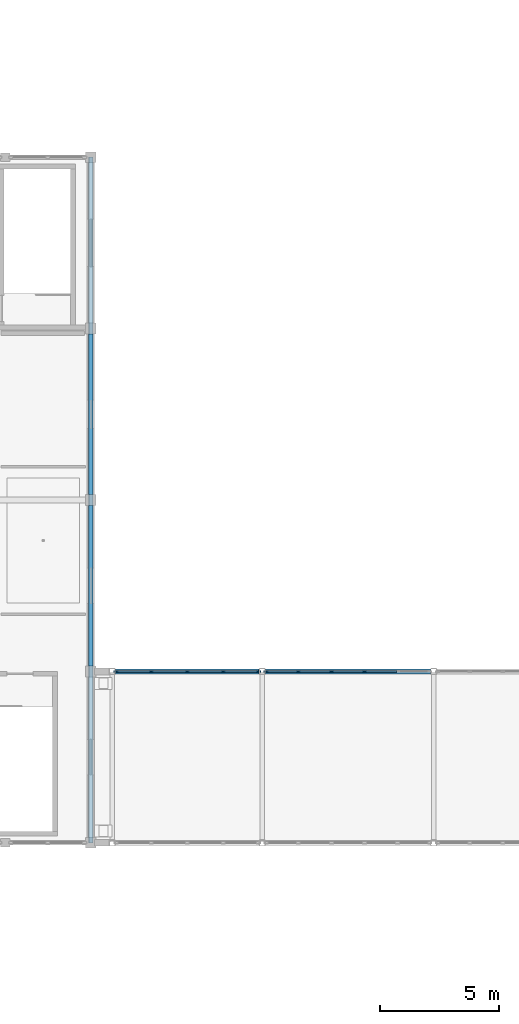
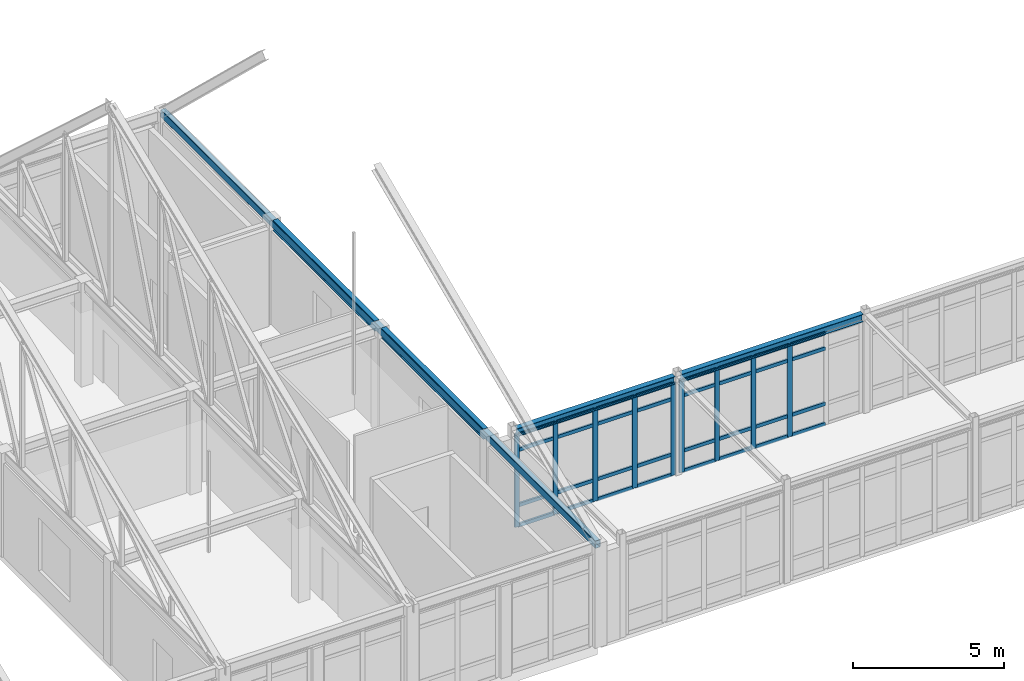
# One storey, part 38 of 136: 42 members, 4 beams, 2 elements without a shape of their own.
"""IFC4 building model written with IfcOpenShell, lengths in metres."""

from ifc_helpers import new_model, si_unit, direction, frame, origin, origin_2d, place, context, subcontext, project, spatial, rectangle, hollow_rectangle, i_section, extrude, material, layer, layer_set, material_profile, profile_set, type_object, element, aggregate, save


model = new_model("IFC4")

# Units and contexts
model_context = context("Model", 3, precision=1e-05, world=origin(), true_north=direction((0.0, 1.0)))
body_context = subcontext(model_context, "Body", "Model", "MODEL_VIEW")
ifc_project = project(units=[si_unit("LENGTHUNIT", "METRE"), si_unit("AREAUNIT", "SQUARE_METRE"), si_unit("VOLUMEUNIT", "CUBIC_METRE"), si_unit("PLANEANGLEUNIT", "RADIAN"), si_unit("MASSUNIT", "GRAM", prefix="KILO")], contexts=[model_context])

# Site, building, storey
site_placement = place(None, origin())
site = spatial("IfcSite", under=ifc_project, at=site_placement, CompositionType="ELEMENT")
building_placement = place(site_placement, origin())
building = spatial("IfcBuilding", under=site, at=building_placement, Name="Koriwan Promenade Central Fire Station", CompositionType="ELEMENT")
storey_placement = place(building_placement, frame((0.0, 0.0, 5.39990234375)))
storey = spatial("IfcBuildingStorey", under=building, at=storey_placement, Name="L01", CompositionType="ELEMENT", Elevation=5.39990234375)

# Curtain wall, members
ifc_material_1 = material(Name="Aluminium EN AW-6063-T6 and low-E glazing", Category="aluminium")
ifc_layer_1 = layer(ifc_material_1, 0.159912109375, Name="Aluminium EN AW-6063-T6 and low-E glazing")
ifc_layer_set_1 = layer_set([ifc_layer_1], Name="Aluminium EN AW-6063-T6 and low-E glazing")
curtain_wall_type_1 = type_object("IfcCurtainWallType", Name="CurtainWall_97_605x374", PredefinedType="USERDEFINED", material=ifc_layer_set_1)
curtain_wall_1_placement = place(storey_placement, origin())
curtain_wall_1 = element("IfcCurtainWall", 1, at=curtain_wall_1_placement, inside=storey, type_object=curtain_wall_type_1, Name="V5 L01 unitised curtain wall 309", ObjectType="UNITISED CURTAIN WALL", PredefinedType="USERDEFINED")
ifc_material_2 = material(Name="Aluminium EN AW-6063-T6", Category="aluminium")
ifc_material_profile_1 = material_profile(ifc_material_2, rectangle(XDim=0.074951171875, YDim=0.179931640625, at=origin_2d()), Name="ALU-MUL-75x180")
ifc_profile_set_1 = profile_set([ifc_material_profile_1], Name="Aluminium EN AW-6063-T6")
member_type_1 = type_object("IfcMemberType", Name="CWMullion_ALU-MUL-75x180", PredefinedType="MULLION", material=ifc_profile_set_1)
member_1_placement = place(storey_placement, frame((116.262451171875, 50.39990234375, 0.0), z_axis=(0.0, 0.0, 1.0), x_axis=(0.0, 1.0, 0.0)))
member_1 = element("IfcMember", 2, at=member_1_placement, type_object=member_type_1, Name="CW-97 mullion 1", PredefinedType="MULLION", context=body_context, shape_type="SweptSolid", body=[
    extrude(rectangle(XDim=0.074951171875, YDim=0.179931640625, at=origin_2d()), origin(), (0.0, 0.0, 1.0), 3.739990234375),
])
member_2_placement = place(storey_placement, frame((117.737548828125, 50.39990234375, 0.0), z_axis=(0.0, 0.0, 1.0), x_axis=(0.0, 1.0, 0.0)))
member_2 = element("IfcMember", 3, at=member_2_placement, type_object=member_type_1, Name="CW-97 mullion 2", PredefinedType="MULLION", context=body_context, shape_type="SweptSolid", body=[
    extrude(rectangle(XDim=0.074951171875, YDim=0.179931640625, at=origin_2d()), origin(), (0.0, 0.0, 1.0), 3.739990234375),
])
member_3_placement = place(storey_placement, frame((119.25, 50.39990234375, 0.0), z_axis=(0.0, 0.0, 1.0), x_axis=(0.0, 1.0, 0.0)))
member_3 = element("IfcMember", 4, at=member_3_placement, type_object=member_type_1, Name="CW-97 mullion 3", PredefinedType="MULLION", context=body_context, shape_type="SweptSolid", body=[
    extrude(rectangle(XDim=0.074951171875, YDim=0.179931640625, at=origin_2d()), origin(), (0.0, 0.0, 1.0), 3.739990234375),
])
member_4_placement = place(storey_placement, frame((120.762451171875, 50.39990234375, 0.0), z_axis=(0.0, 0.0, 1.0), x_axis=(0.0, 1.0, 0.0)))
member_4 = element("IfcMember", 5, at=member_4_placement, type_object=member_type_1, Name="CW-97 mullion 4", PredefinedType="MULLION", context=body_context, shape_type="SweptSolid", body=[
    extrude(rectangle(XDim=0.074951171875, YDim=0.179931640625, at=origin_2d()), origin(), (0.0, 0.0, 1.0), 3.739990234375),
])
member_5_placement = place(storey_placement, frame((122.237548828125, 50.39990234375, 0.0), z_axis=(0.0, 0.0, 1.0), x_axis=(0.0, 1.0, 0.0)))
member_5 = element("IfcMember", 6, at=member_5_placement, type_object=member_type_1, Name="CW-97 mullion 5", PredefinedType="MULLION", context=body_context, shape_type="SweptSolid", body=[
    extrude(rectangle(XDim=0.074951171875, YDim=0.179931640625, at=origin_2d()), origin(), (0.0, 0.0, 1.0), 3.739990234375),
])

ifc_layer_2 = layer(ifc_material_1, 0.159912109375, Name="Aluminium EN AW-6063-T6 and low-E glazing")
ifc_layer_set_2 = layer_set([ifc_layer_2], Name="Aluminium EN AW-6063-T6 and low-E glazing")
curtain_wall_type_2 = type_object("IfcCurtainWallType", Name="CurtainWall_98_695x374", PredefinedType="USERDEFINED", material=ifc_layer_set_2)
curtain_wall_2_placement = place(storey_placement, origin())
curtain_wall_2 = element("IfcCurtainWall", 7, at=curtain_wall_2_placement, inside=storey, type_object=curtain_wall_type_2, Name="V5 L01 unitised curtain wall 311", ObjectType="UNITISED CURTAIN WALL", PredefinedType="USERDEFINED")
member_6_placement = place(storey_placement, frame((122.5625, 50.39990234375, 0.0), z_axis=(0.0, 0.0, 1.0), x_axis=(0.0, 1.0, 0.0)))
member_6 = element("IfcMember", 8, at=member_6_placement, type_object=member_type_1, Name="CW-98 mullion 1", PredefinedType="MULLION", context=body_context, shape_type="SweptSolid", body=[
    extrude(rectangle(XDim=0.074951171875, YDim=0.179931640625, at=origin_2d()), origin(), (0.0, 0.0, 1.0), 3.739990234375),
])
member_7_placement = place(storey_placement, frame((123.9150390625, 50.39990234375, 0.0), z_axis=(0.0, 0.0, 1.0), x_axis=(0.0, 1.0, 0.0)))
member_7 = element("IfcMember", 9, at=member_7_placement, type_object=member_type_1, Name="CW-98 mullion 2", PredefinedType="MULLION", context=body_context, shape_type="SweptSolid", body=[
    extrude(rectangle(XDim=0.074951171875, YDim=0.179931640625, at=origin_2d()), origin(), (0.0, 0.0, 1.0), 3.739990234375),
])
member_8_placement = place(storey_placement, frame((125.304931640625, 50.39990234375, 0.0), z_axis=(0.0, 0.0, 1.0), x_axis=(0.0, 1.0, 0.0)))
member_8 = element("IfcMember", 10, at=member_8_placement, type_object=member_type_1, Name="CW-98 mullion 3", PredefinedType="MULLION", context=body_context, shape_type="SweptSolid", body=[
    extrude(rectangle(XDim=0.074951171875, YDim=0.179931640625, at=origin_2d()), origin(), (0.0, 0.0, 1.0), 3.739990234375),
])
member_9_placement = place(storey_placement, frame((126.695068359375, 50.39990234375, 0.0), z_axis=(0.0, 0.0, 1.0), x_axis=(0.0, 1.0, 0.0)))
member_9 = element("IfcMember", 11, at=member_9_placement, type_object=member_type_1, Name="CW-98 mullion 4", PredefinedType="MULLION", context=body_context, shape_type="SweptSolid", body=[
    extrude(rectangle(XDim=0.074951171875, YDim=0.179931640625, at=origin_2d()), origin(), (0.0, 0.0, 1.0), 3.739990234375),
])

# Member
ifc_material_profile_2 = material_profile(ifc_material_2, rectangle(XDim=0.074951171875, YDim=0.139892578125, at=origin_2d()), Name="ALU-TRN-75x140")
ifc_profile_set_2 = profile_set([ifc_material_profile_2], Name="Aluminium EN AW-6063-T6")
member_type_2 = type_object("IfcMemberType", Name="CWTransom_ALU-TRN-75x140", PredefinedType="USERDEFINED", material=ifc_profile_set_2)
member_10_placement = place(storey_placement, frame((116.300048828125, 50.39990234375, 0.03759765625), z_axis=(1.0, 0.0, 0.0), x_axis=(0.0, 1.0, 0.0)))
member_10 = element("IfcMember", 12, at=member_10_placement, type_object=member_type_2, Name="CW-97 transom 1.1", ObjectType="TRANSOM", PredefinedType="USERDEFINED", context=body_context, shape_type="SweptSolid", body=[
    extrude(rectangle(XDim=0.074951171875, YDim=0.139892578125, at=origin_2d()), origin(), (0.0, 0.0, 1.0), 1.39990234375),
])

member_11_placement = place(storey_placement, frame((116.300048828125, 50.39990234375, 0.85009765625), z_axis=(1.0, 0.0, 0.0), x_axis=(0.0, 1.0, 0.0)))
member_11 = element("IfcMember", 13, at=member_11_placement, type_object=member_type_2, Name="CW-97 transom 1.2", ObjectType="TRANSOM", PredefinedType="USERDEFINED", context=body_context, shape_type="SweptSolid", body=[
    extrude(rectangle(XDim=0.074951171875, YDim=0.139892578125, at=origin_2d()), origin(), (0.0, 0.0, 1.0), 1.39990234375),
])

member_12_placement = place(storey_placement, frame((116.300048828125, 50.39990234375, 3.090087890625), z_axis=(1.0, 0.0, 0.0), x_axis=(0.0, 1.0, 0.0)))
member_12 = element("IfcMember", 14, at=member_12_placement, type_object=member_type_2, Name="CW-97 transom 1.3", ObjectType="TRANSOM", PredefinedType="USERDEFINED", context=body_context, shape_type="SweptSolid", body=[
    extrude(rectangle(XDim=0.074951171875, YDim=0.139892578125, at=origin_2d()), origin(), (0.0, 0.0, 1.0), 1.39990234375),
])

member_13_placement = place(storey_placement, frame((116.300048828125, 50.39990234375, 3.70263671875), z_axis=(1.0, 0.0, 0.0), x_axis=(0.0, 1.0, 0.0)))
member_13 = element("IfcMember", 15, at=member_13_placement, type_object=member_type_2, Name="CW-97 transom 1.4", ObjectType="TRANSOM", PredefinedType="USERDEFINED", context=body_context, shape_type="SweptSolid", body=[
    extrude(rectangle(XDim=0.074951171875, YDim=0.139892578125, at=origin_2d()), origin(), (0.0, 0.0, 1.0), 1.39990234375),
])

member_14_placement = place(storey_placement, frame((117.77490234375, 50.39990234375, 0.03759765625), z_axis=(1.0, 0.0, 0.0), x_axis=(0.0, 1.0, 0.0)))
member_14 = element("IfcMember", 16, at=member_14_placement, type_object=member_type_2, Name="CW-97 transom 2.1", ObjectType="TRANSOM", PredefinedType="USERDEFINED", context=body_context, shape_type="SweptSolid", body=[
    extrude(rectangle(XDim=0.074951171875, YDim=0.139892578125, at=origin_2d()), origin(), (0.0, 0.0, 1.0), 1.4375),
])

member_15_placement = place(storey_placement, frame((117.77490234375, 50.39990234375, 0.85009765625), z_axis=(1.0, 0.0, 0.0), x_axis=(0.0, 1.0, 0.0)))
member_15 = element("IfcMember", 17, at=member_15_placement, type_object=member_type_2, Name="CW-97 transom 2.2", ObjectType="TRANSOM", PredefinedType="USERDEFINED", context=body_context, shape_type="SweptSolid", body=[
    extrude(rectangle(XDim=0.074951171875, YDim=0.139892578125, at=origin_2d()), origin(), (0.0, 0.0, 1.0), 1.4375),
])

member_16_placement = place(storey_placement, frame((117.77490234375, 50.39990234375, 3.090087890625), z_axis=(1.0, 0.0, 0.0), x_axis=(0.0, 1.0, 0.0)))
member_16 = element("IfcMember", 18, at=member_16_placement, type_object=member_type_2, Name="CW-97 transom 2.3", ObjectType="TRANSOM", PredefinedType="USERDEFINED", context=body_context, shape_type="SweptSolid", body=[
    extrude(rectangle(XDim=0.074951171875, YDim=0.139892578125, at=origin_2d()), origin(), (0.0, 0.0, 1.0), 1.4375),
])

member_17_placement = place(storey_placement, frame((117.77490234375, 50.39990234375, 3.70263671875), z_axis=(1.0, 0.0, 0.0), x_axis=(0.0, 1.0, 0.0)))
member_17 = element("IfcMember", 19, at=member_17_placement, type_object=member_type_2, Name="CW-97 transom 2.4", ObjectType="TRANSOM", PredefinedType="USERDEFINED", context=body_context, shape_type="SweptSolid", body=[
    extrude(rectangle(XDim=0.074951171875, YDim=0.139892578125, at=origin_2d()), origin(), (0.0, 0.0, 1.0), 1.4375),
])

member_18_placement = place(storey_placement, frame((119.28759765625, 50.39990234375, 0.03759765625), z_axis=(1.0, 0.0, 0.0), x_axis=(0.0, 1.0, 0.0)))
member_18 = element("IfcMember", 20, at=member_18_placement, type_object=member_type_2, Name="CW-97 transom 3.1", ObjectType="TRANSOM", PredefinedType="USERDEFINED", context=body_context, shape_type="SweptSolid", body=[
    extrude(rectangle(XDim=0.074951171875, YDim=0.139892578125, at=origin_2d()), origin(), (0.0, 0.0, 1.0), 1.4375),
])

member_19_placement = place(storey_placement, frame((119.28759765625, 50.39990234375, 0.85009765625), z_axis=(1.0, 0.0, 0.0), x_axis=(0.0, 1.0, 0.0)))
member_19 = element("IfcMember", 21, at=member_19_placement, type_object=member_type_2, Name="CW-97 transom 3.2", ObjectType="TRANSOM", PredefinedType="USERDEFINED", context=body_context, shape_type="SweptSolid", body=[
    extrude(rectangle(XDim=0.074951171875, YDim=0.139892578125, at=origin_2d()), origin(), (0.0, 0.0, 1.0), 1.4375),
])

member_20_placement = place(storey_placement, frame((119.28759765625, 50.39990234375, 3.090087890625), z_axis=(1.0, 0.0, 0.0), x_axis=(0.0, 1.0, 0.0)))
member_20 = element("IfcMember", 22, at=member_20_placement, type_object=member_type_2, Name="CW-97 transom 3.3", ObjectType="TRANSOM", PredefinedType="USERDEFINED", context=body_context, shape_type="SweptSolid", body=[
    extrude(rectangle(XDim=0.074951171875, YDim=0.139892578125, at=origin_2d()), origin(), (0.0, 0.0, 1.0), 1.4375),
])

member_21_placement = place(storey_placement, frame((119.28759765625, 50.39990234375, 3.70263671875), z_axis=(1.0, 0.0, 0.0), x_axis=(0.0, 1.0, 0.0)))
member_21 = element("IfcMember", 23, at=member_21_placement, type_object=member_type_2, Name="CW-97 transom 3.4", ObjectType="TRANSOM", PredefinedType="USERDEFINED", context=body_context, shape_type="SweptSolid", body=[
    extrude(rectangle(XDim=0.074951171875, YDim=0.139892578125, at=origin_2d()), origin(), (0.0, 0.0, 1.0), 1.4375),
])

member_22_placement = place(storey_placement, frame((120.800048828125, 50.39990234375, 0.03759765625), z_axis=(1.0, 0.0, 0.0), x_axis=(0.0, 1.0, 0.0)))
member_22 = element("IfcMember", 24, at=member_22_placement, type_object=member_type_2, Name="CW-97 transom 4.1", ObjectType="TRANSOM", PredefinedType="USERDEFINED", context=body_context, shape_type="SweptSolid", body=[
    extrude(rectangle(XDim=0.074951171875, YDim=0.139892578125, at=origin_2d()), origin(), (0.0, 0.0, 1.0), 1.39990234375),
])

member_23_placement = place(storey_placement, frame((120.800048828125, 50.39990234375, 0.85009765625), z_axis=(1.0, 0.0, 0.0), x_axis=(0.0, 1.0, 0.0)))
member_23 = element("IfcMember", 25, at=member_23_placement, type_object=member_type_2, Name="CW-97 transom 4.2", ObjectType="TRANSOM", PredefinedType="USERDEFINED", context=body_context, shape_type="SweptSolid", body=[
    extrude(rectangle(XDim=0.074951171875, YDim=0.139892578125, at=origin_2d()), origin(), (0.0, 0.0, 1.0), 1.39990234375),
])

member_24_placement = place(storey_placement, frame((120.800048828125, 50.39990234375, 3.090087890625), z_axis=(1.0, 0.0, 0.0), x_axis=(0.0, 1.0, 0.0)))
member_24 = element("IfcMember", 26, at=member_24_placement, type_object=member_type_2, Name="CW-97 transom 4.3", ObjectType="TRANSOM", PredefinedType="USERDEFINED", context=body_context, shape_type="SweptSolid", body=[
    extrude(rectangle(XDim=0.074951171875, YDim=0.139892578125, at=origin_2d()), origin(), (0.0, 0.0, 1.0), 1.39990234375),
])

member_25_placement = place(storey_placement, frame((120.800048828125, 50.39990234375, 3.70263671875), z_axis=(1.0, 0.0, 0.0), x_axis=(0.0, 1.0, 0.0)))
member_25 = element("IfcMember", 27, at=member_25_placement, type_object=member_type_2, Name="CW-97 transom 4.4", ObjectType="TRANSOM", PredefinedType="USERDEFINED", context=body_context, shape_type="SweptSolid", body=[
    extrude(rectangle(XDim=0.074951171875, YDim=0.139892578125, at=origin_2d()), origin(), (0.0, 0.0, 1.0), 1.39990234375),
])

aggregate(curtain_wall_1, [member_1, member_2, member_3, member_4, member_5, member_10, member_11, member_12, member_13, member_14, member_15, member_16, member_17, member_18, member_19, member_20, member_21, member_22, member_23, member_24, member_25])

member_26_placement = place(storey_placement, frame((122.60009765625, 50.39990234375, 0.03759765625), z_axis=(1.0, 0.0, 0.0), x_axis=(0.0, 1.0, 0.0)))
member_26 = element("IfcMember", 28, at=member_26_placement, type_object=member_type_2, Name="CW-98 transom 1.1", ObjectType="TRANSOM", PredefinedType="USERDEFINED", context=body_context, shape_type="SweptSolid", body=[
    extrude(rectangle(XDim=0.074951171875, YDim=0.139892578125, at=origin_2d()), origin(), (0.0, 0.0, 1.0), 1.27734375),
])

member_27_placement = place(storey_placement, frame((122.60009765625, 50.39990234375, 0.85009765625), z_axis=(1.0, 0.0, 0.0), x_axis=(0.0, 1.0, 0.0)))
member_27 = element("IfcMember", 29, at=member_27_placement, type_object=member_type_2, Name="CW-98 transom 1.2", ObjectType="TRANSOM", PredefinedType="USERDEFINED", context=body_context, shape_type="SweptSolid", body=[
    extrude(rectangle(XDim=0.074951171875, YDim=0.139892578125, at=origin_2d()), origin(), (0.0, 0.0, 1.0), 1.27734375),
])

member_28_placement = place(storey_placement, frame((122.60009765625, 50.39990234375, 3.090087890625), z_axis=(1.0, 0.0, 0.0), x_axis=(0.0, 1.0, 0.0)))
member_28 = element("IfcMember", 30, at=member_28_placement, type_object=member_type_2, Name="CW-98 transom 1.3", ObjectType="TRANSOM", PredefinedType="USERDEFINED", context=body_context, shape_type="SweptSolid", body=[
    extrude(rectangle(XDim=0.074951171875, YDim=0.139892578125, at=origin_2d()), origin(), (0.0, 0.0, 1.0), 1.27734375),
])

member_29_placement = place(storey_placement, frame((122.60009765625, 50.39990234375, 3.70263671875), z_axis=(1.0, 0.0, 0.0), x_axis=(0.0, 1.0, 0.0)))
member_29 = element("IfcMember", 31, at=member_29_placement, type_object=member_type_2, Name="CW-98 transom 1.4", ObjectType="TRANSOM", PredefinedType="USERDEFINED", context=body_context, shape_type="SweptSolid", body=[
    extrude(rectangle(XDim=0.074951171875, YDim=0.139892578125, at=origin_2d()), origin(), (0.0, 0.0, 1.0), 1.27734375),
])

member_30_placement = place(storey_placement, frame((123.952392578125, 50.39990234375, 0.03759765625), z_axis=(1.0, 0.0, 0.0), x_axis=(0.0, 1.0, 0.0)))
member_30 = element("IfcMember", 32, at=member_30_placement, type_object=member_type_2, Name="CW-98 transom 2.1", ObjectType="TRANSOM", PredefinedType="USERDEFINED", context=body_context, shape_type="SweptSolid", body=[
    extrude(rectangle(XDim=0.074951171875, YDim=0.139892578125, at=origin_2d()), origin(), (0.0, 0.0, 1.0), 1.315185546875),
])

member_31_placement = place(storey_placement, frame((123.952392578125, 50.39990234375, 0.85009765625), z_axis=(1.0, 0.0, 0.0), x_axis=(0.0, 1.0, 0.0)))
member_31 = element("IfcMember", 33, at=member_31_placement, type_object=member_type_2, Name="CW-98 transom 2.2", ObjectType="TRANSOM", PredefinedType="USERDEFINED", context=body_context, shape_type="SweptSolid", body=[
    extrude(rectangle(XDim=0.074951171875, YDim=0.139892578125, at=origin_2d()), origin(), (0.0, 0.0, 1.0), 1.315185546875),
])

member_32_placement = place(storey_placement, frame((123.952392578125, 50.39990234375, 3.090087890625), z_axis=(1.0, 0.0, 0.0), x_axis=(0.0, 1.0, 0.0)))
member_32 = element("IfcMember", 34, at=member_32_placement, type_object=member_type_2, Name="CW-98 transom 2.3", ObjectType="TRANSOM", PredefinedType="USERDEFINED", context=body_context, shape_type="SweptSolid", body=[
    extrude(rectangle(XDim=0.074951171875, YDim=0.139892578125, at=origin_2d()), origin(), (0.0, 0.0, 1.0), 1.315185546875),
])

member_33_placement = place(storey_placement, frame((123.952392578125, 50.39990234375, 3.70263671875), z_axis=(1.0, 0.0, 0.0), x_axis=(0.0, 1.0, 0.0)))
member_33 = element("IfcMember", 35, at=member_33_placement, type_object=member_type_2, Name="CW-98 transom 2.4", ObjectType="TRANSOM", PredefinedType="USERDEFINED", context=body_context, shape_type="SweptSolid", body=[
    extrude(rectangle(XDim=0.074951171875, YDim=0.139892578125, at=origin_2d()), origin(), (0.0, 0.0, 1.0), 1.315185546875),
])

member_34_placement = place(storey_placement, frame((125.342529296875, 50.39990234375, 0.03759765625), z_axis=(1.0, 0.0, 0.0), x_axis=(0.0, 1.0, 0.0)))
member_34 = element("IfcMember", 36, at=member_34_placement, type_object=member_type_2, Name="CW-98 transom 3.1", ObjectType="TRANSOM", PredefinedType="USERDEFINED", context=body_context, shape_type="SweptSolid", body=[
    extrude(rectangle(XDim=0.074951171875, YDim=0.139892578125, at=origin_2d()), origin(), (0.0, 0.0, 1.0), 1.31494140625),
])

member_35_placement = place(storey_placement, frame((125.342529296875, 50.39990234375, 0.85009765625), z_axis=(1.0, 0.0, 0.0), x_axis=(0.0, 1.0, 0.0)))
member_35 = element("IfcMember", 37, at=member_35_placement, type_object=member_type_2, Name="CW-98 transom 3.2", ObjectType="TRANSOM", PredefinedType="USERDEFINED", context=body_context, shape_type="SweptSolid", body=[
    extrude(rectangle(XDim=0.074951171875, YDim=0.139892578125, at=origin_2d()), origin(), (0.0, 0.0, 1.0), 1.31494140625),
])

member_36_placement = place(storey_placement, frame((125.342529296875, 50.39990234375, 3.090087890625), z_axis=(1.0, 0.0, 0.0), x_axis=(0.0, 1.0, 0.0)))
member_36 = element("IfcMember", 38, at=member_36_placement, type_object=member_type_2, Name="CW-98 transom 3.3", ObjectType="TRANSOM", PredefinedType="USERDEFINED", context=body_context, shape_type="SweptSolid", body=[
    extrude(rectangle(XDim=0.074951171875, YDim=0.139892578125, at=origin_2d()), origin(), (0.0, 0.0, 1.0), 1.31494140625),
])

member_37_placement = place(storey_placement, frame((125.342529296875, 50.39990234375, 3.70263671875), z_axis=(1.0, 0.0, 0.0), x_axis=(0.0, 1.0, 0.0)))
member_37 = element("IfcMember", 39, at=member_37_placement, type_object=member_type_2, Name="CW-98 transom 3.4", ObjectType="TRANSOM", PredefinedType="USERDEFINED", context=body_context, shape_type="SweptSolid", body=[
    extrude(rectangle(XDim=0.074951171875, YDim=0.139892578125, at=origin_2d()), origin(), (0.0, 0.0, 1.0), 1.31494140625),
])

member_38_placement = place(storey_placement, frame((126.732421875, 50.39990234375, 0.03759765625), z_axis=(1.0, 0.0, 0.0), x_axis=(0.0, 1.0, 0.0)))
member_38 = element("IfcMember", 40, at=member_38_placement, type_object=member_type_2, Name="CW-98 transom 4.1", ObjectType="TRANSOM", PredefinedType="USERDEFINED", context=body_context, shape_type="SweptSolid", body=[
    extrude(rectangle(XDim=0.074951171875, YDim=0.139892578125, at=origin_2d()), origin(), (0.0, 0.0, 1.0), 1.315185546875),
])

member_39_placement = place(storey_placement, frame((126.732421875, 50.39990234375, 0.85009765625), z_axis=(1.0, 0.0, 0.0), x_axis=(0.0, 1.0, 0.0)))
member_39 = element("IfcMember", 41, at=member_39_placement, type_object=member_type_2, Name="CW-98 transom 4.2", ObjectType="TRANSOM", PredefinedType="USERDEFINED", context=body_context, shape_type="SweptSolid", body=[
    extrude(rectangle(XDim=0.074951171875, YDim=0.139892578125, at=origin_2d()), origin(), (0.0, 0.0, 1.0), 1.315185546875),
])

member_40_placement = place(storey_placement, frame((126.732421875, 50.39990234375, 3.090087890625), z_axis=(1.0, 0.0, 0.0), x_axis=(0.0, 1.0, 0.0)))
member_40 = element("IfcMember", 42, at=member_40_placement, type_object=member_type_2, Name="CW-98 transom 4.3", ObjectType="TRANSOM", PredefinedType="USERDEFINED", context=body_context, shape_type="SweptSolid", body=[
    extrude(rectangle(XDim=0.074951171875, YDim=0.139892578125, at=origin_2d()), origin(), (0.0, 0.0, 1.0), 1.315185546875),
])

member_41_placement = place(storey_placement, frame((126.732421875, 50.39990234375, 3.70263671875), z_axis=(1.0, 0.0, 0.0), x_axis=(0.0, 1.0, 0.0)))
member_41 = element("IfcMember", 43, at=member_41_placement, type_object=member_type_2, Name="CW-98 transom 4.4", ObjectType="TRANSOM", PredefinedType="USERDEFINED", context=body_context, shape_type="SweptSolid", body=[
    extrude(rectangle(XDim=0.074951171875, YDim=0.139892578125, at=origin_2d()), origin(), (0.0, 0.0, 1.0), 1.315185546875),
])

aggregate(curtain_wall_2, [member_6, member_7, member_8, member_9, member_26, member_27, member_28, member_29, member_30, member_31, member_32, member_33, member_34, member_35, member_36, member_37, member_38, member_39, member_40, member_41])

ifc_material_3 = material(Name="Steel ASTM A500 Grade C", Category="steel")
ifc_material_profile_3 = material_profile(ifc_material_3, hollow_rectangle(XDim=0.199951171875, YDim=0.300048828125, WallThickness=0.011962890625, InnerFilletRadius=0.011962890625, OuterFilletRadius=0.02392578125, at=origin_2d()), Name="HSS300x200x12")
ifc_profile_set_3 = profile_set([ifc_material_profile_3], Name="Steel ASTM A500 Grade C")
member_type_3 = type_object("IfcMemberType", Name="Member_CHORD_HSS300x200x12", PredefinedType="CHORD", material=ifc_profile_set_3)
member_42_placement = place(storey_placement, frame((115.199951171875, 43.199951171875, 4.02001953125), z_axis=(0.0, 1.0, 0.0), x_axis=(-1.0, 0.0, 0.0)))
element("IfcMember", 44, at=member_42_placement, inside=storey, type_object=member_type_3, Name="V1 east portal truss bottom chord", PredefinedType="CHORD", context=body_context, shape_type="SweptSolid", body=[
    extrude(hollow_rectangle(XDim=0.199951171875, YDim=0.300048828125, WallThickness=0.011962890625, InnerFilletRadius=0.011962890625, OuterFilletRadius=0.02392578125, at=origin_2d()), origin(), (0.0, 0.0, 1.0), 28.800048828125),
])

# Beams
ifc_material_4 = material(Name="Steel ASTM A992 Grade 50", Category="steel")
ifc_material_profile_4 = material_profile(ifc_material_4, i_section(OverallWidth=0.205078125, OverallDepth=0.31005859375, WebThickness=0.009521484375, FlangeThickness=0.016357421875, FilletRadius=0.014892578125, at=origin_2d()), Name="W310x74")
ifc_profile_set_4 = profile_set([ifc_material_profile_4], Name="Steel ASTM A992 Grade 50")
beam_type_1 = type_object("IfcBeamType", Name="SteelBeam_W310x74", PredefinedType="BEAM", material=ifc_profile_set_4)
beam_1_placement = place(storey_placement, frame((116.22998046875, 50.39990234375, 3.864990234375), z_axis=(1.0, 0.0, 0.0), x_axis=(0.0, 1.0, 0.0)))
element("IfcBeam", 45, at=beam_1_placement, inside=storey, type_object=beam_type_1, Name="Bridge roof girder 1126", PredefinedType="BEAM", context=body_context, shape_type="SweptSolid", body=[
    extrude(i_section(OverallWidth=0.205078125, OverallDepth=0.31005859375, WebThickness=0.009521484375, FlangeThickness=0.016357421875, FilletRadius=0.014892578125, at=origin_2d()), origin(), (0.0, 0.0, 1.0), 6.0400390625),
])
beam_2_placement = place(storey_placement, frame((122.530029296875, 50.39990234375, 3.864990234375), z_axis=(1.0, 0.0, 0.0), x_axis=(0.0, 1.0, 0.0)))
element("IfcBeam", 46, at=beam_2_placement, inside=storey, type_object=beam_type_1, Name="Bridge roof girder 1128", PredefinedType="BEAM", context=body_context, shape_type="SweptSolid", body=[
    extrude(i_section(OverallWidth=0.205078125, OverallDepth=0.31005859375, WebThickness=0.009521484375, FlangeThickness=0.016357421875, FilletRadius=0.014892578125, at=origin_2d()), origin(), (0.0, 0.0, 1.0), 6.93994140625),
])
ifc_material_profile_5 = material_profile(ifc_material_4, i_section(OverallWidth=0.180908203125, OverallDepth=0.4169921875, WebThickness=0.010986328125, FlangeThickness=0.018310546875, FilletRadius=0.01611328125, at=origin_2d()), Name="W410x85")
ifc_profile_set_5 = profile_set([ifc_material_profile_5], Name="Steel ASTM A992 Grade 50")
beam_type_2 = type_object("IfcBeamType", Name="SteelBeam_W410x85", PredefinedType="BEAM", material=ifc_profile_set_5)
for number, where, z_axis, x_axis, name in (
    (47, (115.199951171875, 50.625, 3.99169921875), (0.0, 1.0, 0.0), (-1.0, 0.0, 0.0), "V1 L01 girder Y-79"),
    (48, (115.199951171875, 57.824951171875, 3.99169921875), (0.0, 1.0, 0.0), (-1.0, 0.0, 0.0), "V1 L01 girder Y-80"),
):
    element("IfcBeam", number, at=place(storey_placement, frame(where, z_axis=z_axis, x_axis=x_axis)), inside=storey, type_object=beam_type_2, Name=name, PredefinedType="BEAM", context=body_context, shape_type="SweptSolid", body=[
        extrude(i_section(OverallWidth=0.180908203125, OverallDepth=0.4169921875, WebThickness=0.010986328125, FlangeThickness=0.018310546875, FilletRadius=0.01611328125, at=origin_2d()), origin(), (0.0, 0.0, 1.0), 6.75),
    ])

save(model, "model.ifc")
